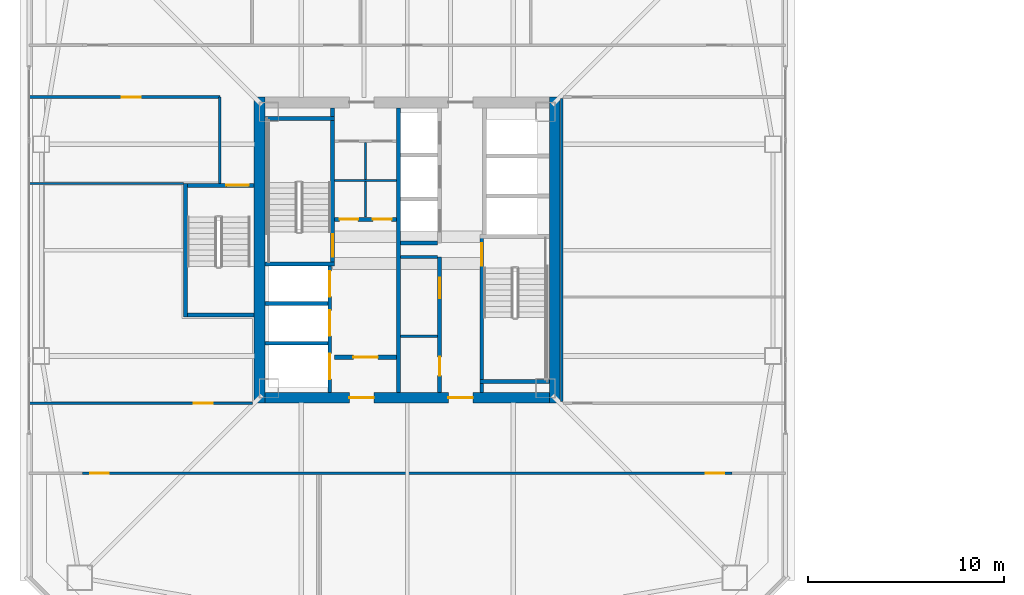
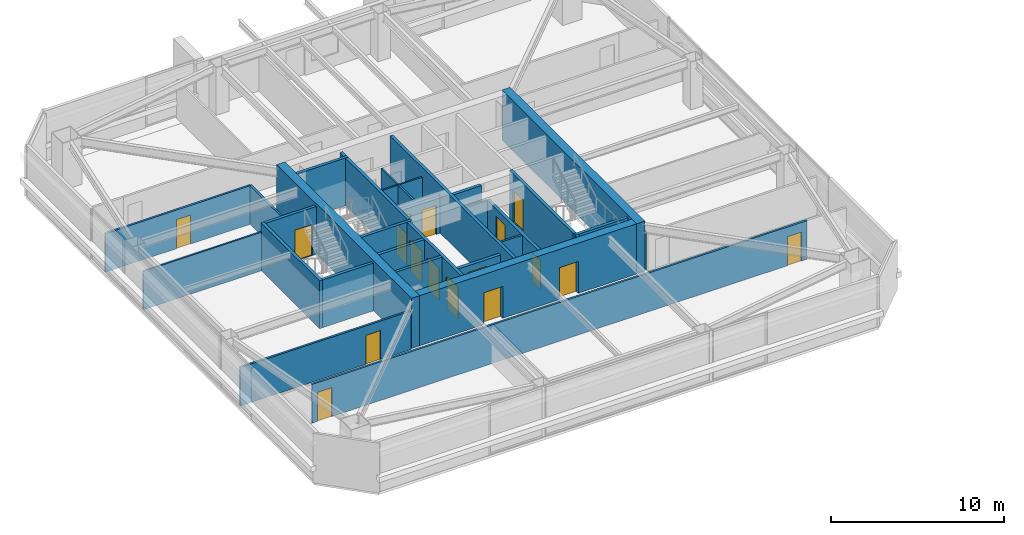
# One storey, part 30 of 41: 29 walls, 17 doors, 17 openings.
"""IFC4 building model written with IfcOpenShell, lengths in metres."""

from ifc_helpers import new_model, si_unit, direction, frame, frame_2d, origin, place, context, subcontext, project, spatial, rectangle, extrude, material, layer, layer_set, type_object, element, fill, save


model = new_model("IFC4")

# Units and contexts
model_context = context("Model", 3, precision=1e-05, world=origin(), true_north=direction((0.0, 1.0)))
body_context = subcontext(model_context, "Body", "Model", "MODEL_VIEW")
ifc_project = project(units=[si_unit("LENGTHUNIT", "METRE"), si_unit("AREAUNIT", "SQUARE_METRE"), si_unit("VOLUMEUNIT", "CUBIC_METRE"), si_unit("PLANEANGLEUNIT", "RADIAN"), si_unit("MASSUNIT", "GRAM", prefix="KILO")], contexts=[model_context])

# Site, building, storey
site_placement = place(None, origin())
site = spatial("IfcSite", under=ifc_project, at=site_placement, CompositionType="ELEMENT")
building_placement = place(site_placement, origin())
building = spatial("IfcBuilding", under=site, at=building_placement, Name="Tashvorn Skyway Center", CompositionType="ELEMENT")
storey_placement = place(building_placement, frame((0.0, 0.0, 146.35009765625)))
storey = spatial("IfcBuildingStorey", under=building, at=storey_placement, Name="L39", CompositionType="ELEMENT", Elevation=146.35009765625)

# Walls
ifc_material_1 = material(Name="Concrete C60/75", Category="concrete")
ifc_layer_1 = layer(ifc_material_1, 0.550048828125)
ifc_layer_set_1 = layer_set([ifc_layer_1], Name="Concrete C60/75")
wall_type_1 = type_object("IfcWallType", Name="WALL-CORE-550", PredefinedType="SHEAR", material=ifc_layer_set_1)
for number, where, z_axis, x_axis, name in (
    (1, (34.47509765625, 24.199951171875, 0.0), (0.0, 0.0, 1.0), (0.0, 1.0, 0.0), "Tower 1 L39 West Core Shear Wall"),
    (2, (49.52490234375, 39.800048828125, 0.0), (0.0, 0.0, 1.0), (0.0, -1.0, 0.0), "Tower 1 L39 East Core Shear Wall"),
):
    element("IfcWall", number, at=place(storey_placement, frame(where, z_axis=z_axis, x_axis=x_axis)), inside=storey, type_object=wall_type_1, Name=name, PredefinedType="SHEAR", context=body_context, shape_type="SweptSolid", body=[
        extrude(rectangle(XDim=15.60009765625, YDim=0.550048828125, at=frame_2d((7.800048828125, 0.0))), origin(), (0.0, 0.0, 1.0), 3.5498046875),
    ])

# Wall, openings, doors
wall_1_placement = place(storey_placement, frame((49.25, 24.47509765625, 0.0), z_axis=(0.0, 0.0, 1.0), x_axis=(-1.0, 0.0, 0.0)))
wall_1 = element("IfcWall", 3, at=wall_1_placement, inside=storey, type_object=wall_type_1, Name="Tower 1 L39 South Core Shear Wall", PredefinedType="SHEAR", context=body_context, shape_type="SweptSolid", body=[
    extrude(rectangle(XDim=14.5, YDim=0.550048828125, at=frame_2d((7.25, 0.0))), origin(), (0.0, 0.0, 1.0), 3.5498046875),
])
opening_1_placement = place(wall_1_placement, frame((8.949951171875, 0.0, 0.0)))
opening_1 = element("IfcOpeningElement", 4, at=opening_1_placement, cuts=wall_1, Name="Opening D-FFL-1250", PredefinedType="OPENING", context=body_context, shape_type="SweptSolid", body=[
    extrude(rectangle(XDim=1.25, YDim=2.25, at=frame_2d((0.625, 1.125))), frame((0.0, 0.284912109375, 0.0), z_axis=(0.0, -1.0, 0.0), x_axis=(1.0, 0.0, 0.0)), (0.0, 0.0, 1.0), 0.570068359375),
])
opening_2_placement = place(wall_1_placement, frame((3.89990234375, 0.0, 0.0)))
opening_2 = element("IfcOpeningElement", 5, at=opening_2_placement, cuts=wall_1, Name="Opening D-FFL-1250", PredefinedType="OPENING", context=body_context, shape_type="SweptSolid", body=[
    extrude(rectangle(XDim=1.25, YDim=2.25, at=frame_2d((0.625, 1.125))), frame((0.0, 0.284912109375, 0.0), z_axis=(0.0, -1.0, 0.0), x_axis=(1.0, 0.0, 0.0)), (0.0, 0.0, 1.0), 0.570068359375),
])
ifc_material_2 = material(Name="Hollow galvanized steel fire door assembly", Category="steel")
door_type_1 = type_object("IfcDoorType", Name="DOOR-FFL-1250", OperationType="NOTDEFINED", PredefinedType="DOOR", material=ifc_material_2)
door_1_placement = place(opening_1_placement, origin())
door_1 = element("IfcDoor", 6, at=door_1_placement, inside=storey, type_object=door_type_1, Name="Tower 1 L39 Core South Firefighting Exit Door", OperationType="SINGLE_SWING_LEFT", OverallHeight=2.25, OverallWidth=1.25, PredefinedType="DOOR", context=body_context, shape_type="SweptSolid", body=[
    extrude(rectangle(XDim=1.25, YDim=2.25, at=frame_2d((0.625, 1.125))), frame((0.0, 0.02490234375, 0.0), z_axis=(0.0, -1.0, 0.0), x_axis=(1.0, 0.0, 0.0)), (0.0, 0.0, 1.0), 0.050048828125),
])
fill(opening_1, door_1)
door_2_placement = place(opening_2_placement, origin())
door_2 = element("IfcDoor", 7, at=door_2_placement, inside=storey, type_object=door_type_1, Name="Tower 1 L39 Core South Lift Lobby Door", OperationType="SINGLE_SWING_RIGHT", OverallHeight=2.25, OverallWidth=1.25, PredefinedType="DOOR", context=body_context, shape_type="SweptSolid", body=[
    extrude(rectangle(XDim=1.25, YDim=2.25, at=frame_2d((0.625, 1.125))), frame((0.0, 0.02490234375, 0.0), z_axis=(0.0, -1.0, 0.0), x_axis=(1.0, 0.0, 0.0)), (0.0, 0.0, 1.0), 0.050048828125),
])
fill(opening_2, door_2)

ifc_material_3 = material(Name="Concrete C40/50", Category="concrete")
ifc_layer_2 = layer(ifc_material_3, 0.219970703125)
ifc_layer_set_2 = layer_set([ifc_layer_2], Name="Concrete C40/50")
wall_type_2 = type_object("IfcWallType", Name="WALL-FFL-220", PredefinedType="SOLIDWALL", material=ifc_layer_set_2)
wall_2_placement = place(storey_placement, frame((38.300048828125, 33.56005859375, 0.0), z_axis=(0.0, 0.0, 1.0), x_axis=(1.0, 0.0, 0.0)))
wall_2 = element("IfcWall", 8, at=wall_2_placement, inside=storey, type_object=wall_type_2, Name="Tower 1 L39 Firefighting Lobby North Wall", PredefinedType="SOLIDWALL", context=body_context, shape_type="SweptSolid", body=[
    extrude(rectangle(XDim=3.14990234375, YDim=0.219970703125, at=frame_2d((1.574951171875, 0.0))), origin(), (0.0, 0.0, 1.0), 2.722900390625),
])
opening_3_placement = place(wall_2_placement, frame((0.25, 0.0, 0.0)))
opening_3 = element("IfcOpeningElement", 9, at=opening_3_placement, cuts=wall_2, Name="Opening D-RT-950", PredefinedType="OPENING", context=body_context, shape_type="SweptSolid", body=[
    extrude(rectangle(XDim=0.949951171875, YDim=2.050048828125, at=frame_2d((0.47509765625, 1.02490234375))), frame((0.0, 0.119873046875, 0.0), z_axis=(0.0, -1.0, 0.0), x_axis=(1.0, 0.0, 0.0)), (0.0, 0.0, 1.0), 0.239990234375),
])
opening_4_placement = place(wall_2_placement, frame((1.949951171875, 0.0, 0.0)))
opening_4 = element("IfcOpeningElement", 10, at=opening_4_placement, cuts=wall_2, Name="Opening D-RT-950", PredefinedType="OPENING", context=body_context, shape_type="SweptSolid", body=[
    extrude(rectangle(XDim=0.949951171875, YDim=2.050048828125, at=frame_2d((0.47509765625, 1.02490234375))), frame((0.0, 0.119873046875, 0.0), z_axis=(0.0, -1.0, 0.0), x_axis=(1.0, 0.0, 0.0)), (0.0, 0.0, 1.0), 0.239990234375),
])
door_type_2 = type_object("IfcDoorType", Name="DOOR-RATED-950", OperationType="NOTDEFINED", PredefinedType="DOOR", material=ifc_material_2)
door_3_placement = place(opening_3_placement, origin())
door_3 = element("IfcDoor", 11, at=door_3_placement, inside=storey, type_object=door_type_2, Name="Tower 1 L39 Core Mail Room Door", OperationType="SINGLE_SWING_LEFT", OverallHeight=2.050048828125, OverallWidth=0.949951171875, PredefinedType="DOOR", context=body_context, shape_type="SweptSolid", body=[
    extrude(rectangle(XDim=0.949951171875, YDim=2.050048828125, at=frame_2d((0.47509765625, 1.02490234375))), frame((0.0, 0.02490234375, 0.0), z_axis=(0.0, -1.0, 0.0), x_axis=(1.0, 0.0, 0.0)), (0.0, 0.0, 1.0), 0.050048828125),
])
fill(opening_3, door_3)
door_4_placement = place(opening_4_placement, origin())
door_4 = element("IfcDoor", 12, at=door_4_placement, inside=storey, type_object=door_type_2, Name="Tower 1 L39 Core Supply Closet Door", OperationType="SINGLE_SWING_RIGHT", OverallHeight=2.050048828125, OverallWidth=0.949951171875, PredefinedType="DOOR", context=body_context, shape_type="SweptSolid", body=[
    extrude(rectangle(XDim=0.949951171875, YDim=2.050048828125, at=frame_2d((0.47509765625, 1.02490234375))), frame((0.0, 0.02490234375, 0.0), z_axis=(0.0, -1.0, 0.0), x_axis=(1.0, 0.0, 0.0)), (0.0, 0.0, 1.0), 0.050048828125),
])
fill(opening_4, door_4)

# Wall, opening, door
wall_3_placement = place(storey_placement, frame((38.300048828125, 26.5400390625, 0.0), z_axis=(0.0, 0.0, 1.0), x_axis=(1.0, 0.0, 0.0)))
wall_3 = element("IfcWall", 13, at=wall_3_placement, inside=storey, type_object=wall_type_2, Name="Tower 1 L39 Firefighting Lobby South Wall", PredefinedType="SOLIDWALL", context=body_context, shape_type="SweptSolid", body=[
    extrude(rectangle(XDim=3.14990234375, YDim=0.219970703125, at=frame_2d((1.574951171875, 0.0))), origin(), (0.0, 0.0, 1.0), 2.722900390625),
])
opening_5_placement = place(wall_3_placement, frame((0.949951171875, 0.0, 0.0)))
opening_5 = element("IfcOpeningElement", 14, at=opening_5_placement, cuts=wall_3, Name="Opening D-FFL-1250", PredefinedType="OPENING", context=body_context, shape_type="SweptSolid", body=[
    extrude(rectangle(XDim=1.25, YDim=2.25, at=frame_2d((0.625, 1.125))), frame((0.0, 0.119873046875, 0.0), z_axis=(0.0, -1.0, 0.0), x_axis=(1.0, 0.0, 0.0)), (0.0, 0.0, 1.0), 0.239990234375),
])
door_5_placement = place(opening_5_placement, origin())
door_5 = element("IfcDoor", 15, at=door_5_placement, inside=storey, type_object=door_type_1, Name="Tower 1 L39 Firefighting Lobby Egress Door", OperationType="SINGLE_SWING_LEFT", OverallHeight=2.25, OverallWidth=1.25, PredefinedType="DOOR", context=body_context, shape_type="SweptSolid", body=[
    extrude(rectangle(XDim=1.25, YDim=2.25, at=frame_2d((0.625, 1.125))), frame((0.0, 0.02490234375, 0.0), z_axis=(0.0, -1.0, 0.0), x_axis=(1.0, 0.0, 0.0)), (0.0, 0.0, 1.0), 0.050048828125),
])
fill(opening_5, door_5)

# Walls
ifc_material_4 = material(Name="Gypsum board on cold-formed steel stud framing", Category="steel")
ifc_layer_3 = layer(ifc_material_4, 0.110107421875)
ifc_layer_set_3 = layer_set([ifc_layer_3], Name="Gypsum board on cold-formed steel stud framing")
wall_type_3 = type_object("IfcWallType", Name="WALL-PART-110", PredefinedType="PARTITIONING", material=ifc_layer_set_3)
wall_4_placement = place(storey_placement, frame((30.60009765625, 35.39990234375, 0.0), z_axis=(0.0, 0.0, 1.0), x_axis=(-1.0, 0.0, 0.0)))
element("IfcWall", 16, at=wall_4_placement, inside=storey, type_object=wall_type_3, Name="Tower 1 L39 West Suite Partition 1", PredefinedType="PARTITIONING", context=body_context, shape_type="SweptSolid", body=[
    extrude(rectangle(XDim=7.880126953125, YDim=0.110107421875, at=frame_2d((3.93994140625, 0.0))), origin(), (0.0, 0.0, 1.0), 2.722900390625),
])
ifc_layer_4 = layer(ifc_material_4, 0.135009765625)
ifc_layer_set_4 = layer_set([ifc_layer_4], Name="Gypsum board on cold-formed steel stud framing")
wall_type_4 = type_object("IfcWallType", Name="WALL-PART-135", PredefinedType="PARTITIONING", material=ifc_layer_set_4)
wall_5_placement = place(storey_placement, frame((32.449951171875, 35.39990234375, 0.0), z_axis=(0.0, 0.0, 1.0), x_axis=(0.0, 1.0, 0.0)))
element("IfcWall", 17, at=wall_5_placement, inside=storey, type_object=wall_type_4, Name="Tower 1 L39 Stair 3 Access Corridor Wall", PredefinedType="PARTITIONING", context=body_context, shape_type="SweptSolid", body=[
    extrude(rectangle(XDim=4.400146484375, YDim=0.135009765625, at=frame_2d((2.2001953125, 0.0))), origin(), (0.0, 0.0, 1.0), 2.722900390625),
])

# Wall, openings, doors
wall_6_placement = place(storey_placement, frame((58.550048828125, 20.6298828125, 0.0), z_axis=(0.0, 0.0, 1.0), x_axis=(-1.0, 0.0, 0.0)))
wall_6 = element("IfcWall", 18, at=wall_6_placement, inside=storey, type_object=wall_type_4, Name="Tower 1 L39 South Suite Wall", PredefinedType="PARTITIONING", context=body_context, shape_type="SweptSolid", body=[
    extrude(rectangle(XDim=33.10009765625, YDim=0.135009765625, at=frame_2d((16.550048828125, 0.0))), origin(), (0.0, 0.0, 1.0), 2.722900390625),
])
opening_6_placement = place(wall_6_placement, frame((31.77001953125, 0.0, 0.0)))
opening_6 = element("IfcOpeningElement", 19, at=opening_6_placement, cuts=wall_6, Name="Opening D-INT-950", PredefinedType="OPENING", context=body_context, shape_type="SweptSolid", body=[
    extrude(rectangle(XDim=0.949951171875, YDim=2.050048828125, at=frame_2d((0.47509765625, 1.02490234375))), frame((0.0, 0.077392578125, 0.0), z_axis=(0.0, -1.0, 0.0), x_axis=(1.0, 0.0, 0.0)), (0.0, 0.0, 1.0), 0.155029296875),
])
opening_7_placement = place(wall_6_placement, frame((0.3798828125, 0.0, 0.0)))
opening_7 = element("IfcOpeningElement", 20, at=opening_7_placement, cuts=wall_6, Name="Opening D-INT-950", PredefinedType="OPENING", context=body_context, shape_type="SweptSolid", body=[
    extrude(rectangle(XDim=0.949951171875, YDim=2.050048828125, at=frame_2d((0.47509765625, 1.02490234375))), frame((0.0, 0.077392578125, 0.0), z_axis=(0.0, -1.0, 0.0), x_axis=(1.0, 0.0, 0.0)), (0.0, 0.0, 1.0), 0.155029296875),
])
ifc_material_5 = material(Name="Solid-core architectural oak veneer door")
door_type_3 = type_object("IfcDoorType", Name="DOOR-INT-950", OperationType="NOTDEFINED", PredefinedType="DOOR", material=ifc_material_5)
door_6_placement = place(opening_6_placement, origin())
door_6 = element("IfcDoor", 21, at=door_6_placement, inside=storey, type_object=door_type_3, Name="Tower 1 L39 Gallery Showroom Door", OperationType="SINGLE_SWING_RIGHT", OverallHeight=2.050048828125, OverallWidth=0.949951171875, PredefinedType="DOOR", context=body_context, shape_type="SweptSolid", body=[
    extrude(rectangle(XDim=0.949951171875, YDim=2.050048828125, at=frame_2d((0.47509765625, 1.02490234375))), frame((0.0, 0.02490234375, 0.0), z_axis=(0.0, -1.0, 0.0), x_axis=(1.0, 0.0, 0.0)), (0.0, 0.0, 1.0), 0.050048828125),
])
fill(opening_6, door_6)
door_7_placement = place(opening_7_placement, origin())
door_7 = element("IfcDoor", 22, at=door_7_placement, inside=storey, type_object=door_type_3, Name="Tower 1 L39 Catering Pantry Door", OperationType="SINGLE_SWING_LEFT", OverallHeight=2.050048828125, OverallWidth=0.949951171875, PredefinedType="DOOR", context=body_context, shape_type="SweptSolid", body=[
    extrude(rectangle(XDim=0.949951171875, YDim=2.050048828125, at=frame_2d((0.47509765625, 1.02490234375))), frame((0.0, 0.02490234375, 0.0), z_axis=(0.0, -1.0, 0.0), x_axis=(1.0, 0.0, 0.0)), (0.0, 0.0, 1.0), 0.050048828125),
])
fill(opening_7, door_7)

# Wall
wall_7_placement = place(storey_placement, frame((49.8798828125, 39.719970703125, 0.0), z_axis=(0.0, 0.0, 1.0), x_axis=(0.0, -1.0, 0.0)))
element("IfcWall", 23, at=wall_7_placement, inside=storey, type_object=wall_type_4, Name="Tower 1 L39 East Inner Suite Wall", PredefinedType="PARTITIONING", context=body_context, shape_type="SweptSolid", body=[
    extrude(rectangle(XDim=15.43994140625, YDim=0.135009765625, at=frame_2d((7.719970703125, 0.0))), origin(), (0.0, 0.0, 1.0), 2.722900390625),
])

# Wall, opening, door
wall_8_placement = place(storey_placement, frame((32.449951171875, 39.800048828125, 0.0), z_axis=(0.0, 0.0, 1.0), x_axis=(-1.0, 0.0, 0.0)))
wall_8 = element("IfcWall", 24, at=wall_8_placement, inside=storey, type_object=wall_type_4, Name="Tower 1 L39 West Suite North Wall", PredefinedType="PARTITIONING", context=body_context, shape_type="SweptSolid", body=[
    extrude(rectangle(XDim=9.72998046875, YDim=0.135009765625, at=frame_2d((4.864990234375, 0.0))), origin(), (0.0, 0.0, 1.0), 2.722900390625),
])
opening_8_placement = place(wall_8_placement, frame((4.0400390625, 0.0, 0.0)))
opening_8 = element("IfcOpeningElement", 25, at=opening_8_placement, cuts=wall_8, Name="Opening D-INT-950", PredefinedType="OPENING", context=body_context, shape_type="SweptSolid", body=[
    extrude(rectangle(XDim=0.949951171875, YDim=2.050048828125, at=frame_2d((0.47509765625, 1.02490234375))), frame((0.0, 0.077392578125, 0.0), z_axis=(0.0, -1.0, 0.0), x_axis=(1.0, 0.0, 0.0)), (0.0, 0.0, 1.0), 0.155029296875),
])
door_8_placement = place(opening_8_placement, origin())
door_8 = element("IfcDoor", 26, at=door_8_placement, inside=storey, type_object=door_type_3, Name="Tower 1 L39 Collaborative Studio Door", OperationType="SINGLE_SWING_RIGHT", OverallHeight=2.050048828125, OverallWidth=0.949951171875, PredefinedType="DOOR", context=body_context, shape_type="SweptSolid", body=[
    extrude(rectangle(XDim=0.949951171875, YDim=2.050048828125, at=frame_2d((0.47509765625, 1.02490234375))), frame((0.0, 0.02490234375, 0.0), z_axis=(0.0, -1.0, 0.0), x_axis=(1.0, 0.0, 0.0)), (0.0, 0.0, 1.0), 0.050048828125),
])
fill(opening_8, door_8)

wall_9_placement = place(storey_placement, frame((22.719970703125, 24.199951171875, 0.0), z_axis=(0.0, 0.0, 1.0), x_axis=(1.0, 0.0, 0.0)))
wall_9 = element("IfcWall", 27, at=wall_9_placement, inside=storey, type_object=wall_type_4, Name="Tower 1 L39 West Suite South Wall", PredefinedType="PARTITIONING", context=body_context, shape_type="SweptSolid", body=[
    extrude(rectangle(XDim=11.400146484375, YDim=0.135009765625, at=frame_2d((5.7001953125, 0.0))), origin(), (0.0, 0.0, 1.0), 2.722900390625),
])
opening_9_placement = place(wall_9_placement, frame((8.405029296875, 0.0, 0.0)))
opening_9 = element("IfcOpeningElement", 28, at=opening_9_placement, cuts=wall_9, Name="Opening D-INT-950", PredefinedType="OPENING", context=body_context, shape_type="SweptSolid", body=[
    extrude(rectangle(XDim=0.949951171875, YDim=2.050048828125, at=frame_2d((0.47509765625, 1.02490234375))), frame((0.0, 0.077392578125, 0.0), z_axis=(0.0, -1.0, 0.0), x_axis=(1.0, 0.0, 0.0)), (0.0, 0.0, 1.0), 0.155029296875),
])
door_9_placement = place(opening_9_placement, origin())
door_9 = element("IfcDoor", 29, at=door_9_placement, inside=storey, type_object=door_type_3, Name="Tower 1 L39 Public Restroom Door", OperationType="SINGLE_SWING_LEFT", OverallHeight=2.050048828125, OverallWidth=0.949951171875, PredefinedType="DOOR", context=body_context, shape_type="SweptSolid", body=[
    extrude(rectangle(XDim=0.949951171875, YDim=2.050048828125, at=frame_2d((0.47509765625, 1.02490234375))), frame((0.0, 0.02490234375, 0.0), z_axis=(0.0, -1.0, 0.0), x_axis=(1.0, 0.0, 0.0)), (0.0, 0.0, 1.0), 0.050048828125),
])
fill(opening_9, door_9)

# Walls
ifc_layer_5 = layer(ifc_material_4, 0.110107421875)
ifc_layer_set_5 = layer_set([ifc_layer_5], Name="Gypsum board on cold-formed steel stud framing")
wall_type_5 = type_object("IfcWallType", Name="WALL-RATED-110", PredefinedType="PARTITIONING", material=ifc_layer_set_5)
wall_10_placement = place(storey_placement, frame((39.8798828125, 33.679931640625, 0.0), z_axis=(0.0, 0.0, 1.0), x_axis=(0.0, 1.0, 0.0)))
element("IfcWall", 30, at=wall_10_placement, inside=storey, type_object=wall_type_5, Name="Tower 1 L39 Core Cross Vertical", PredefinedType="PARTITIONING", context=body_context, shape_type="SweptSolid", body=[
    extrude(rectangle(XDim=3.800048828125, YDim=0.110107421875, at=frame_2d((1.89990234375, 0.0))), origin(), (0.0, 0.0, 1.0), 2.722900390625),
])
wall_11_placement = place(storey_placement, frame((38.300048828125, 35.550048828125, 0.0), z_axis=(0.0, 0.0, 1.0), x_axis=(1.0, 0.0, 0.0)))
element("IfcWall", 31, at=wall_11_placement, inside=storey, type_object=wall_type_5, Name="Tower 1 L39 Core Cross Horizontal", PredefinedType="PARTITIONING", context=body_context, shape_type="SweptSolid", body=[
    extrude(rectangle(XDim=3.14990234375, YDim=0.110107421875, at=frame_2d((1.574951171875, 0.0))), origin(), (0.0, 0.0, 1.0), 2.722900390625),
])
ifc_layer_6 = layer(ifc_material_4, 0.135009765625)
ifc_layer_set_6 = layer_set([ifc_layer_6], Name="Gypsum board on cold-formed steel stud framing")
wall_type_6 = type_object("IfcWallType", Name="WALL-RATED-135", PredefinedType="PARTITIONING", material=ifc_layer_set_6)
for number, where, z_axis, x_axis, name in (
    (32, (41.669921875, 31.64990234375, 0.0), (0.0, 0.0, 1.0), (1.0, 0.0, 0.0), "Tower 1 L39 Core Room Partition"),
    (33, (41.669921875, 27.60009765625, 0.0), (0.0, 0.0, 1.0), (1.0, 0.0, 0.0), "Tower 1 L39 Freed Core Partition"),
):
    element("IfcWall", number, at=place(storey_placement, frame(where, z_axis=z_axis, x_axis=x_axis)), inside=storey, type_object=wall_type_6, Name=name, PredefinedType="PARTITIONING", context=body_context, shape_type="SweptSolid", body=[
        extrude(rectangle(XDim=1.880126953125, YDim=0.135009765625, at=frame_2d((0.93994140625, 0.0))), origin(), (0.0, 0.0, 1.0), 2.722900390625),
    ])
ifc_layer_7 = layer(ifc_material_3, 0.199951171875)
ifc_layer_set_7 = layer_set([ifc_layer_7], Name="Concrete C40/50")
wall_type_7 = type_object("IfcWallType", Name="WALL-SHAFT-200", PredefinedType="SOLIDWALL", material=ifc_layer_set_7)
for number, where, z_axis, x_axis, name in (
    (34, (34.75, 27.25, 0.0), (0.0, 0.0, 1.0), (1.0, 0.0, 0.0), "Tower 1 L39 FSAE Shaft Divider"),
    (35, (34.75, 29.280029296875, 0.0), (0.0, 0.0, 1.0), (1.0, 0.0, 0.0), "Tower 1 L39 FSAE Shaft Divider"),
):
    element("IfcWall", number, at=place(storey_placement, frame(where, z_axis=z_axis, x_axis=x_axis)), inside=storey, type_object=wall_type_7, Name=name, PredefinedType="SOLIDWALL", context=body_context, shape_type="SweptSolid", body=[
        extrude(rectangle(XDim=3.199951171875, YDim=0.199951171875, at=frame_2d((1.60009765625, 0.0))), origin(), (0.0, 0.0, 1.0), 3.369873046875),
    ])

# Wall, openings, doors
wall_12_placement = place(storey_placement, frame((43.64990234375, 24.75, 0.0), z_axis=(0.0, 0.0, 1.0), x_axis=(0.0, 1.0, 0.0)))
wall_12 = element("IfcWall", 36, at=wall_12_placement, inside=storey, type_object=wall_type_7, Name="Tower 1 L39 Low-Rise Core Wall", PredefinedType="SOLIDWALL", context=body_context, shape_type="SweptSolid", body=[
    extrude(rectangle(XDim=6.89990234375, YDim=0.199951171875, at=frame_2d((3.449951171875, 0.0))), origin(), (0.0, 0.0, 1.0), 2.722900390625),
])
opening_10_placement = place(wall_12_placement, frame((0.85009765625, 0.0, 0.0)))
opening_10 = element("IfcOpeningElement", 37, at=opening_10_placement, cuts=wall_12, Name="Opening D-RT-950", PredefinedType="OPENING", context=body_context, shape_type="SweptSolid", body=[
    extrude(rectangle(XDim=0.949951171875, YDim=2.050048828125, at=frame_2d((0.47509765625, 1.02490234375))), frame((0.0, 0.10986328125, 0.0), z_axis=(0.0, -1.0, 0.0), x_axis=(1.0, 0.0, 0.0)), (0.0, 0.0, 1.0), 0.219970703125),
])
opening_11_placement = place(wall_12_placement, frame((4.800048828125, 0.0, 0.0)))
opening_11 = element("IfcOpeningElement", 38, at=opening_11_placement, cuts=wall_12, Name="Opening D-RT-1050", PredefinedType="OPENING", context=body_context, shape_type="SweptSolid", body=[
    extrude(rectangle(XDim=1.050048828125, YDim=2.199951171875, at=frame_2d((0.52490234375, 1.10009765625))), frame((0.0, 0.10986328125, 0.0), z_axis=(0.0, -1.0, 0.0), x_axis=(1.0, 0.0, 0.0)), (0.0, 0.0, 1.0), 0.219970703125),
])
door_type_4 = type_object("IfcDoorType", Name="DOOR-RATED-1050", OperationType="NOTDEFINED", PredefinedType="DOOR", material=ifc_material_2)
door_10_placement = place(opening_11_placement, origin())
door_10 = element("IfcDoor", 39, at=door_10_placement, inside=storey, type_object=door_type_4, Name="Tower 1 L39 Freed Core Room Door", OperationType="SINGLE_SWING_RIGHT", OverallHeight=2.199951171875, OverallWidth=1.050048828125, PredefinedType="DOOR", context=body_context, shape_type="SweptSolid", body=[
    extrude(rectangle(XDim=1.050048828125, YDim=2.199951171875, at=frame_2d((0.52490234375, 1.10009765625))), frame((0.0, 0.02490234375, 0.0), z_axis=(0.0, -1.0, 0.0), x_axis=(1.0, 0.0, 0.0)), (0.0, 0.0, 1.0), 0.050048828125),
])
fill(opening_11, door_10)
door_11_placement = place(opening_10_placement, origin())
door_11 = element("IfcDoor", 40, at=door_11_placement, inside=storey, type_object=door_type_2, Name="Tower 1 L39 Core Print Room Door", OperationType="SINGLE_SWING_LEFT", OverallHeight=2.050048828125, OverallWidth=0.949951171875, PredefinedType="DOOR", context=body_context, shape_type="SweptSolid", body=[
    extrude(rectangle(XDim=0.949951171875, YDim=2.050048828125, at=frame_2d((0.47509765625, 1.02490234375))), frame((0.0, 0.02490234375, 0.0), z_axis=(0.0, -1.0, 0.0), x_axis=(1.0, 0.0, 0.0)), (0.0, 0.0, 1.0), 0.050048828125),
])
fill(opening_10, door_11)

# Wall
wall_13_placement = place(storey_placement, frame((41.669921875, 32.35009765625, 0.0), z_axis=(0.0, 0.0, 1.0), x_axis=(1.0, 0.0, 0.0)))
element("IfcWall", 41, at=wall_13_placement, inside=storey, type_object=wall_type_7, Name="Tower 1 L39 Mid-Rise Shaft Divider", PredefinedType="SOLIDWALL", context=body_context, shape_type="SweptSolid", body=[
    extrude(rectangle(XDim=1.880126953125, YDim=0.199951171875, at=frame_2d((0.93994140625, 0.0))), origin(), (0.0, 0.0, 1.0), 3.369873046875),
])

# Wall, opening, door
ifc_layer_8 = layer(ifc_material_3, 0.199951171875)
ifc_layer_set_8 = layer_set([ifc_layer_8], Name="Concrete C40/50")
wall_type_8 = type_object("IfcWallType", Name="WALL-STSHF-200", PredefinedType="SHEAR", material=ifc_layer_set_8)
wall_14_placement = place(storey_placement, frame((38.199951171875, 31.199951171875, 0.0), z_axis=(0.0, 0.0, 1.0), x_axis=(0.0, 1.0, 0.0)))
wall_14 = element("IfcWall", 42, at=wall_14_placement, inside=storey, type_object=wall_type_8, Name="Tower 1 L39 Stair 1 Enclosure Wall", PredefinedType="SHEAR", context=body_context, shape_type="SweptSolid", body=[
    extrude(rectangle(XDim=8.050048828125, YDim=0.199951171875, at=frame_2d((4.02490234375, 0.0))), origin(), (0.0, 0.0, 1.0), 3.369873046875),
])
opening_12_placement = place(wall_14_placement, frame((0.449951171875, 0.0, 0.0)))
opening_12 = element("IfcOpeningElement", 43, at=opening_12_placement, cuts=wall_14, Name="Opening D-ST-1150", PredefinedType="OPENING", context=body_context, shape_type="SweptSolid", body=[
    extrude(rectangle(XDim=1.14990234375, YDim=2.199951171875, at=frame_2d((0.574951171875, 1.10009765625))), frame((0.0, 0.10986328125, 0.0), z_axis=(0.0, -1.0, 0.0), x_axis=(1.0, 0.0, 0.0)), (0.0, 0.0, 1.0), 0.219970703125),
])
door_type_5 = type_object("IfcDoorType", Name="DOOR-STAIR-1150", OperationType="NOTDEFINED", PredefinedType="DOOR", material=ifc_material_2)
door_12_placement = place(opening_12_placement, origin())
door_12 = element("IfcDoor", 44, at=door_12_placement, inside=storey, type_object=door_type_5, Name="Tower 1 L39 Exit Stair 1 Door", OperationType="SINGLE_SWING_RIGHT", OverallHeight=2.199951171875, OverallWidth=1.14990234375, PredefinedType="DOOR", context=body_context, shape_type="SweptSolid", body=[
    extrude(rectangle(XDim=1.14990234375, YDim=2.199951171875, at=frame_2d((0.574951171875, 1.10009765625))), frame((0.0, 0.02490234375, 0.0), z_axis=(0.0, -1.0, 0.0), x_axis=(1.0, 0.0, 0.0)), (0.0, 0.0, 1.0), 0.050048828125),
])
fill(opening_12, door_12)

# Walls
for number, where, z_axis, x_axis, name in (
    (45, (34.75, 31.300048828125, 0.0), (0.0, 0.0, 1.0), (1.0, 0.0, 0.0), "Tower 1 L39 Stair 1 South Wall"),
    (46, (34.75, 38.699951171875, 0.0), (0.0, 0.0, 1.0), (1.0, 0.0, 0.0), "Tower 1 L39 Stair 1 North Wall"),
):
    element("IfcWall", number, at=place(storey_placement, frame(where, z_axis=z_axis, x_axis=x_axis)), inside=storey, type_object=wall_type_8, Name=name, PredefinedType="SHEAR", context=body_context, shape_type="SweptSolid", body=[
        extrude(rectangle(XDim=3.550048828125, YDim=0.199951171875, at=frame_2d((1.77490234375, 0.0))), origin(), (0.0, 0.0, 1.0), 3.369873046875),
    ])

# Wall, opening, door
wall_15_placement = place(storey_placement, frame((45.800048828125, 32.800048828125, 0.0), z_axis=(0.0, 0.0, 1.0), x_axis=(0.0, -1.0, 0.0)))
wall_15 = element("IfcWall", 47, at=wall_15_placement, inside=storey, type_object=wall_type_8, Name="Tower 1 L39 Stair 2 Enclosure Wall", PredefinedType="SHEAR", context=body_context, shape_type="SweptSolid", body=[
    extrude(rectangle(XDim=8.050048828125, YDim=0.199951171875, at=frame_2d((4.02490234375, 0.0))), origin(), (0.0, 0.0, 1.0), 3.369873046875),
])
opening_13_placement = place(wall_15_placement, frame((0.449951171875, 0.0, 0.0)))
opening_13 = element("IfcOpeningElement", 48, at=opening_13_placement, cuts=wall_15, Name="Opening D-ST-1150", PredefinedType="OPENING", context=body_context, shape_type="SweptSolid", body=[
    extrude(rectangle(XDim=1.14990234375, YDim=2.199951171875, at=frame_2d((0.574951171875, 1.10009765625))), frame((0.0, 0.10986328125, 0.0), z_axis=(0.0, -1.0, 0.0), x_axis=(1.0, 0.0, 0.0)), (0.0, 0.0, 1.0), 0.219970703125),
])
door_13_placement = place(opening_13_placement, origin())
door_13 = element("IfcDoor", 49, at=door_13_placement, inside=storey, type_object=door_type_5, Name="Tower 1 L39 Exit Stair 2 Door", OperationType="SINGLE_SWING_RIGHT", OverallHeight=2.199951171875, OverallWidth=1.14990234375, PredefinedType="DOOR", context=body_context, shape_type="SweptSolid", body=[
    extrude(rectangle(XDim=1.14990234375, YDim=2.199951171875, at=frame_2d((0.574951171875, 1.10009765625))), frame((0.0, 0.02490234375, 0.0), z_axis=(0.0, -1.0, 0.0), x_axis=(1.0, 0.0, 0.0)), (0.0, 0.0, 1.0), 0.050048828125),
])
fill(opening_13, door_13)

# Walls
wall_16_placement = place(storey_placement, frame((45.699951171875, 25.300048828125, 0.0), z_axis=(0.0, 0.0, 1.0), x_axis=(1.0, 0.0, 0.0)))
element("IfcWall", 50, at=wall_16_placement, inside=storey, type_object=wall_type_8, Name="Tower 1 L39 Stair 2 South Wall", PredefinedType="SHEAR", context=body_context, shape_type="SweptSolid", body=[
    extrude(rectangle(XDim=3.550048828125, YDim=0.199951171875, at=frame_2d((1.77490234375, 0.0))), origin(), (0.0, 0.0, 1.0), 3.369873046875),
])
wall_17_placement = place(storey_placement, frame((41.56005859375, 24.75, 0.0), z_axis=(0.0, 0.0, 1.0), x_axis=(0.0, 1.0, 0.0)))
element("IfcWall", 51, at=wall_17_placement, inside=storey, type_object=wall_type_8, Name="Tower 1 L39 Firefighting Lobby East Smoke Barrier", PredefinedType="SHEAR", context=body_context, shape_type="SweptSolid", body=[
    extrude(rectangle(XDim=14.5, YDim=0.199951171875, at=frame_2d((7.25, 0.0))), origin(), (0.0, 0.0, 1.0), 3.369873046875),
])

# Wall, openings, doors
wall_18_placement = place(storey_placement, frame((38.050048828125, 24.75, 0.0), z_axis=(0.0, 0.0, 1.0), x_axis=(0.0, 1.0, 0.0)))
wall_18 = element("IfcWall", 52, at=wall_18_placement, inside=storey, type_object=wall_type_8, Name="Tower 1 L39 FSAE and Goods Shaft Front Wall", PredefinedType="SHEAR", context=body_context, shape_type="SweptSolid", body=[
    extrude(rectangle(XDim=6.449951171875, YDim=0.199951171875, at=frame_2d((3.22509765625, 0.0))), origin(), (0.0, 0.0, 1.0), 3.369873046875),
])
opening_14_placement = place(wall_18_placement, frame((4.875, 0.0, 0.0)))
opening_14 = element("IfcOpeningElement", 53, at=opening_14_placement, cuts=wall_18, Name="Opening LD-FF-T1-1-L39", PredefinedType="OPENING", context=body_context, shape_type="SweptSolid", body=[
    extrude(rectangle(XDim=1.300048828125, YDim=2.25, at=frame_2d((0.64990234375, 1.125))), frame((0.0, 0.10986328125, 0.0), z_axis=(0.0, -1.0, 0.0), x_axis=(1.0, 0.0, 0.0)), (0.0, 0.0, 1.0), 0.219970703125),
])
opening_15_placement = place(wall_18_placement, frame((2.875, 0.0, 0.0)))
opening_15 = element("IfcOpeningElement", 54, at=opening_15_placement, cuts=wall_18, Name="Opening LD-FF-T1-2-L39", PredefinedType="OPENING", context=body_context, shape_type="SweptSolid", body=[
    extrude(rectangle(XDim=1.300048828125, YDim=2.25, at=frame_2d((0.64990234375, 1.125))), frame((0.0, 0.10986328125, 0.0), z_axis=(0.0, -1.0, 0.0), x_axis=(1.0, 0.0, 0.0)), (0.0, 0.0, 1.0), 0.219970703125),
])
opening_16_placement = place(wall_18_placement, frame((0.675048828125, 0.0, 0.0)))
opening_16 = element("IfcOpeningElement", 55, at=opening_16_placement, cuts=wall_18, Name="Opening LD-GD-T1-1-L39", PredefinedType="OPENING", context=body_context, shape_type="SweptSolid", body=[
    extrude(rectangle(XDim=1.300048828125, YDim=2.25, at=frame_2d((0.64990234375, 1.125))), frame((0.0, 0.10986328125, 0.0), z_axis=(0.0, -1.0, 0.0), x_axis=(1.0, 0.0, 0.0)), (0.0, 0.0, 1.0), 0.219970703125),
])
ifc_material_6 = material(Name="Stainless steel heavy-duty landing door", Category="steel")
door_type_6 = type_object("IfcDoorType", Name="DOOR-LIFT-1300", OperationType="SLIDING_TO_LEFT", PredefinedType="DOOR", material=ifc_material_6)
door_14_placement = place(opening_14_placement, origin())
door_14 = element("IfcDoor", 56, at=door_14_placement, inside=storey, type_object=door_type_6, Name="Lift FF-T1-1 L39 Landing Door", OperationType="SLIDING_TO_LEFT", OverallHeight=2.25, OverallWidth=1.300048828125, PredefinedType="DOOR", context=body_context, shape_type="SweptSolid", body=[
    extrude(rectangle(XDim=1.300048828125, YDim=2.25, at=frame_2d((0.64990234375, 1.125))), frame((0.0, 0.02490234375, 0.0), z_axis=(0.0, -1.0, 0.0), x_axis=(1.0, 0.0, 0.0)), (0.0, 0.0, 1.0), 0.050048828125),
])
fill(opening_14, door_14)
door_15_placement = place(opening_15_placement, origin())
door_15 = element("IfcDoor", 57, at=door_15_placement, inside=storey, type_object=door_type_6, Name="Lift FF-T1-2 L39 Landing Door", OperationType="SLIDING_TO_LEFT", OverallHeight=2.25, OverallWidth=1.300048828125, PredefinedType="DOOR", context=body_context, shape_type="SweptSolid", body=[
    extrude(rectangle(XDim=1.300048828125, YDim=2.25, at=frame_2d((0.64990234375, 1.125))), frame((0.0, 0.02490234375, 0.0), z_axis=(0.0, -1.0, 0.0), x_axis=(1.0, 0.0, 0.0)), (0.0, 0.0, 1.0), 0.050048828125),
])
fill(opening_15, door_15)
door_16_placement = place(opening_16_placement, origin())
door_16 = element("IfcDoor", 58, at=door_16_placement, inside=storey, type_object=door_type_6, Name="Lift GD-T1-1 L39 Landing Door", OperationType="SLIDING_TO_LEFT", OverallHeight=2.25, OverallWidth=1.300048828125, PredefinedType="DOOR", context=body_context, shape_type="SweptSolid", body=[
    extrude(rectangle(XDim=1.300048828125, YDim=2.25, at=frame_2d((0.64990234375, 1.125))), frame((0.0, 0.02490234375, 0.0), z_axis=(0.0, -1.0, 0.0), x_axis=(1.0, 0.0, 0.0)), (0.0, 0.0, 1.0), 0.050048828125),
])
fill(opening_16, door_16)

# Wall
wall_19_placement = place(storey_placement, frame((30.699951171875, 28.60009765625, 0.0), z_axis=(0.0, 0.0, 1.0), x_axis=(0.0, 1.0, 0.0)))
element("IfcWall", 59, at=wall_19_placement, inside=storey, type_object=wall_type_8, Name="Tower 1 L39 Stair 3 Outer Wall", PredefinedType="SHEAR", context=body_context, shape_type="SweptSolid", body=[
    extrude(rectangle(XDim=6.7998046875, YDim=0.199951171875, at=frame_2d((3.39990234375, 0.0))), origin(), (0.0, 0.0, 1.0), 3.369873046875),
])

# Wall, opening, door
wall_20_placement = place(storey_placement, frame((34.199951171875, 35.300048828125, 0.0), z_axis=(0.0, 0.0, 1.0), x_axis=(-1.0, 0.0, 0.0)))
wall_20 = element("IfcWall", 60, at=wall_20_placement, inside=storey, type_object=wall_type_8, Name="Tower 1 L39 Stair 3 Enclosure Wall", PredefinedType="SHEAR", context=body_context, shape_type="SweptSolid", body=[
    extrude(rectangle(XDim=3.39990234375, YDim=0.199951171875, at=frame_2d((1.699951171875, 0.0))), origin(), (0.0, 0.0, 1.0), 3.369873046875),
])
opening_17_placement = place(wall_20_placement, frame((0.27490234375, 0.0, 0.0)))
opening_17 = element("IfcOpeningElement", 61, at=opening_17_placement, cuts=wall_20, Name="Opening D-ST-1150", PredefinedType="OPENING", context=body_context, shape_type="SweptSolid", body=[
    extrude(rectangle(XDim=1.14990234375, YDim=2.199951171875, at=frame_2d((0.574951171875, 1.10009765625))), frame((0.0, 0.10986328125, 0.0), z_axis=(0.0, -1.0, 0.0), x_axis=(1.0, 0.0, 0.0)), (0.0, 0.0, 1.0), 0.219970703125),
])
door_17_placement = place(opening_17_placement, origin())
door_17 = element("IfcDoor", 62, at=door_17_placement, inside=storey, type_object=door_type_5, Name="Tower 1 L39 Exit Stair 3 Door", OperationType="SINGLE_SWING_RIGHT", OverallHeight=2.199951171875, OverallWidth=1.14990234375, PredefinedType="DOOR", context=body_context, shape_type="SweptSolid", body=[
    extrude(rectangle(XDim=1.14990234375, YDim=2.199951171875, at=frame_2d((0.574951171875, 1.10009765625))), frame((0.0, 0.02490234375, 0.0), z_axis=(0.0, -1.0, 0.0), x_axis=(1.0, 0.0, 0.0)), (0.0, 0.0, 1.0), 0.050048828125),
])
fill(opening_17, door_17)

# Wall
wall_21_placement = place(storey_placement, frame((30.800048828125, 28.699951171875, 0.0), z_axis=(0.0, 0.0, 1.0), x_axis=(1.0, 0.0, 0.0)))
element("IfcWall", 63, at=wall_21_placement, inside=storey, type_object=wall_type_8, Name="Tower 1 L39 Stair 3 South Wall", PredefinedType="SHEAR", context=body_context, shape_type="SweptSolid", body=[
    extrude(rectangle(XDim=3.39990234375, YDim=0.199951171875, at=frame_2d((1.699951171875, 0.0))), origin(), (0.0, 0.0, 1.0), 3.369873046875),
])

save(model, "model.ifc")
